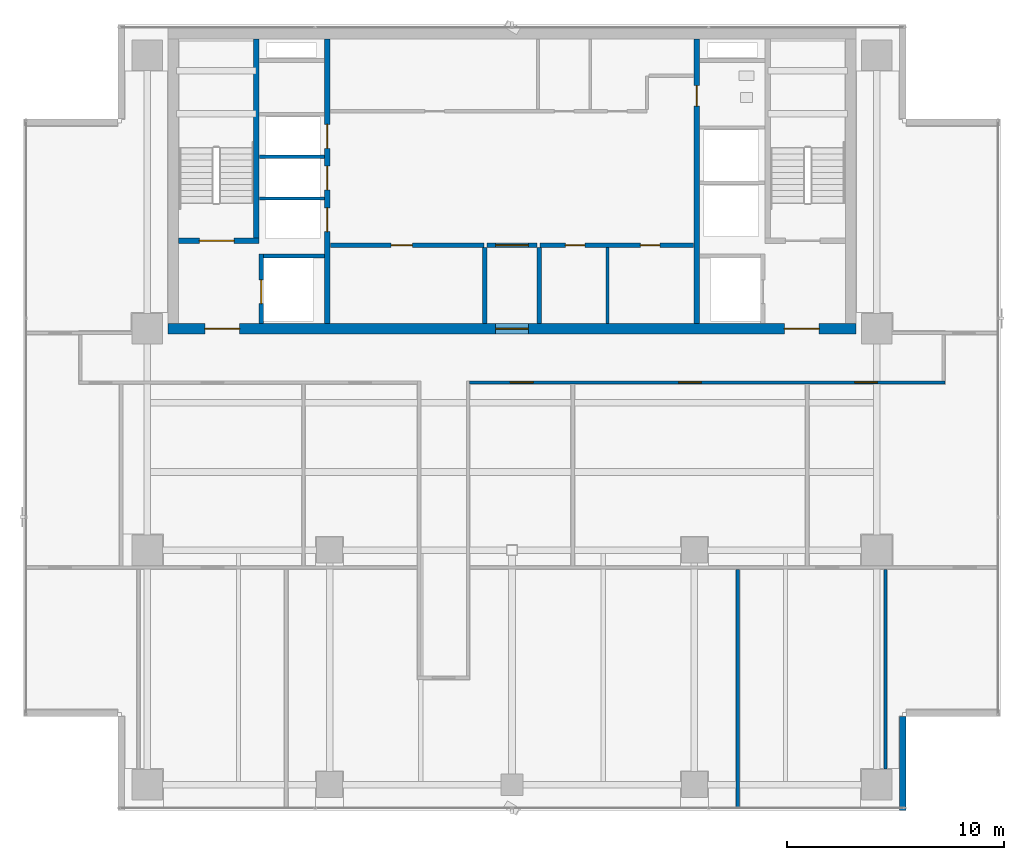
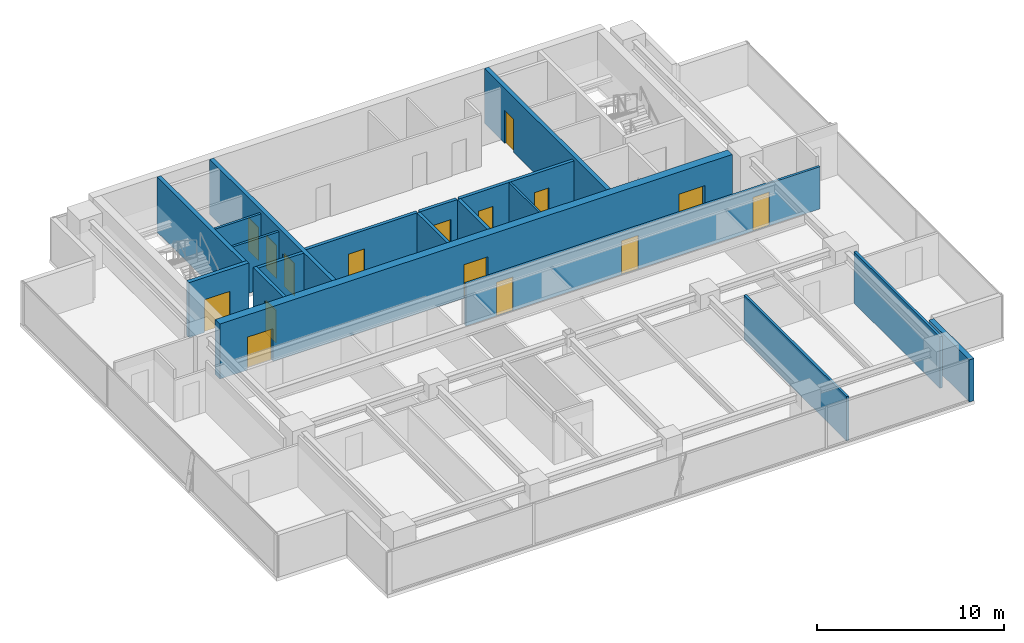
# One storey, part 20 of 25: 19 walls, 16 doors, 16 openings.
"""IFC4 building model written with IfcOpenShell, lengths in metres."""

import ifcopenshell
import ifcopenshell.guid

model = None  # the IFC model being written
_history = None  # IfcOwnerHistory: only IFC2X3 demands one
_inside = {}  # id of a spatial element -> (the spatial element, [elements in it])
_under = {}  # id of a project, library or spatial element -> (it, [spatial elements below it])
_declared = {}  # id of a project -> (the project, [libraries it declares])
_typed = {}  # id of a type object -> (the type object, [elements of that type])
_made_of = {}  # id of a material, layer set ... -> (it, [elements and type objects made of it])


def new_model(schema):
    """Start an empty IFC model of exactly this schema.

    Asked for "IFC4X3", IfcOpenShell would pick the latest addendum, in which some entities
    have other attributes; the version numbers below select the first issue.
    IFC2X3 requires an IfcOwnerHistory on every rooted entity: one is made here for all.
    """
    global model, _history
    if schema == "IFC4X3":
        model = ifcopenshell.file(schema_version=(4, 3, 0, 0))
    else:
        model = ifcopenshell.file(schema=schema)
    _inside.clear()
    _under.clear()
    _declared.clear()
    _typed.clear()
    _made_of.clear()
    _history = None
    if model.schema == "IFC2X3":
        org = make("IfcOrganization", Name="unknown")
        user = make(
            "IfcPersonAndOrganization",
            ThePerson=make("IfcPerson", FamilyName="unknown"),
            TheOrganization=org,
        )
        app = make(
            "IfcApplication",
            ApplicationDeveloper=org,
            Version="unknown",
            ApplicationFullName="unknown",
            ApplicationIdentifier="unknown",
        )
        _history = make(
            "IfcOwnerHistory",
            OwningUser=user,
            OwningApplication=app,
            ChangeAction="ADDED",
            CreationDate=0,
        )
    return model


def make(cls, **values):
    """One entity of the class cls with the attributes given. An attribute that is None is left unset."""
    return model.create_entity(
        cls, **{name: value for name, value in values.items() if value is not None}
    )


def rooted(cls, **values):
    """An entity with a GlobalId (a new one), such as an element, a storey or a relation."""
    return make(cls, GlobalId=ifcopenshell.guid.new(), OwnerHistory=_history, **values)


def si_unit(unit_type, name, prefix=None):
    """IfcSIUnit, for example si_unit("LENGTHUNIT", "METRE", prefix="MILLI")."""
    return make("IfcSIUnit", UnitType=unit_type, Prefix=prefix, Name=name)


def assignment(units):
    """IfcUnitAssignment: the units of a project."""
    return None if units is None else make("IfcUnitAssignment", Units=units)


def point(xyz):
    """IfcCartesianPoint."""
    return None if xyz is None else make("IfcCartesianPoint", Coordinates=xyz)


def direction(xyz):
    """IfcDirection."""
    return None if xyz is None else make("IfcDirection", DirectionRatios=xyz)


def frame(location, z_axis=None, x_axis=None):
    """IfcAxis2Placement3D, a coordinate frame: its origin and axes. An axis left out is left unset."""
    return make(
        "IfcAxis2Placement3D",
        Location=point(location),
        Axis=direction(z_axis),
        RefDirection=direction(x_axis),
    )


def frame_2d(location, x_axis=None):
    """IfcAxis2Placement2D, a coordinate frame in the plane: its origin and x axis."""
    return make(
        "IfcAxis2Placement2D", Location=point(location), RefDirection=direction(x_axis)
    )


def origin():
    """The frame at (0, 0, 0) with its axes left unset."""
    return frame((0.0, 0.0, 0.0))


def place(relative_to, where):
    """IfcLocalPlacement: puts the frame where relative to a parent placement (None: the world)."""
    return make(
        "IfcLocalPlacement", PlacementRelTo=relative_to, RelativePlacement=where
    )


def context(
    kind, dimensions, precision=None, world=None, true_north=None, identifier=None
):
    """IfcGeometricRepresentationContext, for example the 3D "Model" context."""
    return make(
        "IfcGeometricRepresentationContext",
        ContextIdentifier=identifier,
        ContextType=kind,
        CoordinateSpaceDimension=dimensions,
        Precision=precision,
        WorldCoordinateSystem=world,
        TrueNorth=true_north,
    )


def subcontext(parent, identifier, kind, view, scale=None):
    """IfcGeometricRepresentationSubContext, for example "Body" below "Model"."""
    return make(
        "IfcGeometricRepresentationSubContext",
        ContextIdentifier=identifier,
        ContextType=kind,
        ParentContext=parent,
        TargetScale=scale,
        TargetView=view,
    )


def project(units=None, contexts=None):
    """IfcProject with its units and contexts."""
    return rooted(
        "IfcProject",
        Name="project",
        RepresentationContexts=contexts,
        UnitsInContext=assignment(units),
    )


def spatial(cls, under=None, at=None, **own):
    """A site, building, storey or space (cls), placed at a placement, below another one or the project."""
    s = rooted(cls, ObjectPlacement=at, **own)
    if under is not None:
        _under.setdefault(under.id(), (under, []))[1].append(s)
    return s


def profile(cls, at=None, kind="AREA", **sizes):
    """A parametric profile (cls). Its sizes go by their IFC names, for example OverallWidth=200.0."""
    return make(cls, ProfileType=kind, Position=at, **sizes)


def rectangle(**sizes):
    """IfcRectangleProfileDef."""
    return profile("IfcRectangleProfileDef", **sizes)


def extrude(swept, where, along, depth):
    """IfcExtrudedAreaSolid: the profile swept, set in the frame where, extruded along a direction by depth."""
    return make(
        "IfcExtrudedAreaSolid",
        SweptArea=swept,
        Position=where,
        ExtrudedDirection=direction(along),
        Depth=depth,
    )


def shape(context_of_items, identifier, shape_type, items):
    """IfcShapeRepresentation: the items that make up one representation, for example the "Body"."""
    return make(
        "IfcShapeRepresentation",
        ContextOfItems=context_of_items,
        RepresentationIdentifier=identifier,
        RepresentationType=shape_type,
        Items=items,
    )


def source(mapping_origin, context_of_items, identifier, shape_type, items):
    """IfcRepresentationMap: a shape defined once, which mapped items show again and again."""
    return make(
        "IfcRepresentationMap",
        MappingOrigin=mapping_origin,
        MappedRepresentation=shape(context_of_items, identifier, shape_type, items),
    )


def transform(
    local_origin,
    x_axis=None,
    y_axis=None,
    z_axis=None,
    scale=None,
    scale2=None,
    scale3=None,
    uniform=True,
):
    """IfcCartesianTransformationOperator3D, or its non-uniform kind. x_axis, y_axis, z_axis: its Axis1, 2, 3."""
    if uniform:
        return make(
            "IfcCartesianTransformationOperator3D",
            Axis1=direction(x_axis),
            Axis2=direction(y_axis),
            LocalOrigin=point(local_origin),
            Scale=scale,
            Axis3=direction(z_axis),
        )
    return make(
        "IfcCartesianTransformationOperator3DnonUniform",
        Axis1=direction(x_axis),
        Axis2=direction(y_axis),
        LocalOrigin=point(local_origin),
        Scale=scale,
        Axis3=direction(z_axis),
        Scale2=scale2,
        Scale3=scale3,
    )


def mapped(mapping_source, mapping_target):
    """IfcMappedItem: shows the shape of a source again, moved by a transform."""
    return make(
        "IfcMappedItem", MappingSource=mapping_source, MappingTarget=mapping_target
    )


def material(Name=None, Category=None):
    """IfcMaterial."""
    return make("IfcMaterial", Name=Name, Category=Category)


def layer(
    of_material, thickness, ventilated=None, Name=None, Category=None, Priority=None
):
    """IfcMaterialLayer: one layer of a wall or slab, of a material (None: an air gap)."""
    return make(
        "IfcMaterialLayer",
        Material=of_material,
        LayerThickness=thickness,
        IsVentilated=ventilated,
        Name=Name,
        Category=Category,
        Priority=Priority,
    )


def layer_set(layers, Name=None):
    """IfcMaterialLayerSet."""
    return make("IfcMaterialLayerSet", MaterialLayers=layers, LayerSetName=Name)


def made_of(thing, what):
    """Note that an element or type object is made of a material, layer set ...; save() writes the relation."""
    if what is not None:
        _made_of.setdefault(what.id(), (what, []))[1].append(thing)
    return thing


def type_object(cls, material=None, **own):
    """A type object (cls), such as IfcWallType, which elements share."""
    return made_of(rooted(cls, **own), material)


def element(
    cls,
    number,
    at=None,
    inside=None,
    cuts=None,
    type_object=None,
    material=None,
    context=None,
    identifier="Body",
    shape_type=None,
    held_by="IfcProductDefinitionShape",
    body=None,
    shapes=None,
    **own,
):
    """One element of the class cls, such as IfcWall. Its Tag is "e" and its number.

    at: its placement. inside: the storey or other place that contains it. cuts: it is an
    opening in that element (IfcRelVoidsElement). A single representation is given by context,
    identifier, shape_type and body (its items); several are given by shapes. held_by: the class
    of the entity that holds the representations. save() writes the other relations.
    """
    e = rooted(cls, Tag="e%d" % number, ObjectPlacement=at, **own)
    if body is not None:
        shapes = [shape(context, identifier, shape_type, body)]
    if shapes is not None:
        e.Representation = make(held_by, Representations=shapes)
    if inside is not None:
        _inside.setdefault(inside.id(), (inside, []))[1].append(e)
    if cuts is not None:
        rooted(
            "IfcRelVoidsElement", RelatingBuildingElement=cuts, RelatedOpeningElement=e
        )
    if type_object is not None:
        _typed.setdefault(type_object.id(), (type_object, []))[1].append(e)
    return made_of(e, material)


def fill(opening, filler):
    """IfcRelFillsElement: the door or window that sits in an opening."""
    return rooted(
        "IfcRelFillsElement",
        RelatingOpeningElement=opening,
        RelatedBuildingElement=filler,
    )


def aggregate(whole, parts):
    """IfcRelAggregates: a whole, such as a stair, and the parts it consists of."""
    return rooted("IfcRelAggregates", RelatingObject=whole, RelatedObjects=parts)


def save(model, path):
    """Write the relations noted so far, then the file.

    IfcRelAggregates (storeys below a building ...), IfcRelContainedInSpatialStructure (elements
    in a storey), IfcRelDefinesByType, IfcRelAssociatesMaterial and IfcRelDeclares: one each for
    every whole, place, type object, material and project.
    """
    for whole, parts in _under.values():
        aggregate(whole, parts)
    for where, things in _inside.values():
        rooted(
            "IfcRelContainedInSpatialStructure",
            RelatedElements=things,
            RelatingStructure=where,
        )
    for kind, things in _typed.values():
        rooted("IfcRelDefinesByType", RelatedObjects=things, RelatingType=kind)
    for what, things in _made_of.values():
        rooted("IfcRelAssociatesMaterial", RelatedObjects=things, RelatingMaterial=what)
    for by, libraries in _declared.values():
        rooted("IfcRelDeclares", RelatingContext=by, RelatedDefinitions=libraries)
    model.write(path)


model = new_model("IFC4")

# Units and contexts
model_context = context("Model", 3, precision=1e-05, world=origin(), true_north=direction((0.0, 1.0)))
body_context = subcontext(model_context, "Body", "Model", "MODEL_VIEW")
ifc_project = project(units=[si_unit("LENGTHUNIT", "METRE"), si_unit("AREAUNIT", "SQUARE_METRE"), si_unit("VOLUMEUNIT", "CUBIC_METRE"), si_unit("PLANEANGLEUNIT", "RADIAN"), si_unit("MASSUNIT", "GRAM", prefix="KILO")], contexts=[model_context])

# Site, building, storey
site_placement = place(None, origin())
site = spatial("IfcSite", under=ifc_project, at=site_placement, CompositionType="ELEMENT")
building_placement = place(site_placement, origin())
building = spatial("IfcBuilding", under=site, at=building_placement, Name="Sumidabori Civic Tower", CompositionType="ELEMENT")
storey_placement = place(building_placement, frame((0.0, 0.0, 246.800048828125)))
storey = spatial("IfcBuildingStorey", under=building, at=storey_placement, Name="L64", CompositionType="ELEMENT", Elevation=246.800048828125)

# Wall
ifc_material_1 = material(Name="Concrete C50/60", Category="concrete")
ifc_layer_1 = layer(ifc_material_1, 0.199951171875, Name="Concrete C50/60")
ifc_layer_set_1 = layer_set([ifc_layer_1], Name="Concrete C50/60")
wall_type_1 = type_object("IfcWallType", Name="WL-SHAFT-200", PredefinedType="SHEAR", material=ifc_layer_set_1)
shared_shape_1 = source(origin(), body_context, "Body", "SweptSolid", [
    extrude(rectangle(XDim=2.824951171875, YDim=0.199951171875, at=frame_2d((1.41259765625, 0.0))), origin(), (0.0, 0.0, 1.0), 3.599853515625),
])
wall_1_placement = place(storey_placement, frame((-11.449951171875, 13.550048828125, 0.0), z_axis=(0.0, 0.0, 1.0), x_axis=(1.0, 0.0, 0.0)))
element("IfcWall", 1, at=wall_1_placement, inside=storey, type_object=wall_type_1, Name="Core Shear Wall L64 EL1-N", PredefinedType="SHEAR", context=body_context, shape_type="MappedRepresentation", body=[
    mapped(shared_shape_1, transform((0.0, 0.0, 0.0), x_axis=(1.0, 0.0, 0.0), y_axis=(0.0, 1.0, 0.0), z_axis=(0.0, 0.0, 1.0), scale=1.0)),
])

# Wall, openings, doors
ifc_layer_2 = layer(ifc_material_1, 0.5, Name="Concrete C50/60")
ifc_layer_set_2 = layer_set([ifc_layer_2], Name="Concrete C50/60")
wall_type_2 = type_object("IfcWallType", Name="WL-CORE-500", PredefinedType="SHEAR", material=ifc_layer_set_2)
shared_shape_2 = source(origin(), body_context, "Body", "SweptSolid", [
    extrude(rectangle(XDim=31.7001953125, YDim=0.5, at=frame_2d((15.85009765625, 0.0))), origin(), (0.0, 0.0, 1.0), 3.599853515625),
])
wall_2_placement = place(storey_placement, frame((-15.85009765625, 10.199951171875, 0.0), z_axis=(0.0, 0.0, 1.0), x_axis=(1.0, 0.0, 0.0)))
wall_2 = element("IfcWall", 2, at=wall_2_placement, inside=storey, type_object=wall_type_2, Name="Core Shear Wall L64 S", PredefinedType="SHEAR", context=body_context, shape_type="MappedRepresentation", body=[
    mapped(shared_shape_2, transform((0.0, 0.0, 0.0), x_axis=(1.0, 0.0, 0.0), y_axis=(0.0, 1.0, 0.0), z_axis=(0.0, 0.0, 1.0), scale=1.0)),
])
opening_1_placement = place(wall_2_placement, frame((1.699951171875, 0.0, 0.0)))
opening_1 = element("IfcOpeningElement", 3, at=opening_1_placement, cuts=wall_2, Name="Opening DR-FD4", PredefinedType="OPENING", context=body_context, shape_type="SweptSolid", body=[
    extrude(rectangle(XDim=1.60009765625, YDim=2.14990234375, at=frame_2d((0.800048828125, 1.074951171875))), frame((0.0, 0.261962890625, 0.0), z_axis=(0.0, -1.0, 0.0), x_axis=(1.0, 0.0, 0.0)), (0.0, 0.0, 1.0), 0.52392578125),
])
opening_2_placement = place(wall_2_placement, frame((28.39990234375, 0.0, 0.0)))
opening_2 = element("IfcOpeningElement", 4, at=opening_2_placement, cuts=wall_2, Name="Opening DR-FD4", PredefinedType="OPENING", context=body_context, shape_type="SweptSolid", body=[
    extrude(rectangle(XDim=1.60009765625, YDim=2.14990234375, at=frame_2d((0.800048828125, 1.074951171875))), frame((0.0, 0.261962890625, 0.0), z_axis=(0.0, -1.0, 0.0), x_axis=(1.0, 0.0, 0.0)), (0.0, 0.0, 1.0), 0.52392578125),
])
opening_3_placement = place(wall_2_placement, frame((15.10009765625, 0.0, 0.0)))
opening_3 = element("IfcOpeningElement", 5, at=opening_3_placement, cuts=wall_2, Name="Opening DR-FD3", PredefinedType="OPENING", context=body_context, shape_type="SweptSolid", body=[
    extrude(rectangle(XDim=1.5, YDim=2.199951171875, at=frame_2d((0.75, 1.10009765625))), frame((0.0, 0.261962890625, 0.0), z_axis=(0.0, -1.0, 0.0), x_axis=(1.0, 0.0, 0.0)), (0.0, 0.0, 1.0), 0.52392578125),
])
ifc_material_2 = material(Name="Steel SN490", Category="steel")
door_type_1 = type_object("IfcDoorType", Name="DR-FD4", OperationType="DOUBLE_DOOR_SINGLE_SWING", PredefinedType="DOOR", material=ifc_material_2)
shared_shape_3 = source(origin(), body_context, "Body", "SweptSolid", [
    extrude(rectangle(XDim=1.60009765625, YDim=2.14990234375, at=frame_2d((0.800048828125, 1.074951171875))), frame((0.0, 0.02490234375, 0.0), z_axis=(0.0, -1.0, 0.0), x_axis=(1.0, 0.0, 0.0)), (0.0, 0.0, 1.0), 0.050048828125),
])
door_1_placement = place(opening_1_placement, origin())
door_1 = element("IfcDoor", 6, at=door_1_placement, inside=storey, type_object=door_type_1, Name="Door DR:L64:ELOB-W", OperationType="DOUBLE_DOOR_SINGLE_SWING", OverallHeight=2.14990234375, OverallWidth=1.60009765625, PredefinedType="DOOR", context=body_context, shape_type="MappedRepresentation", body=[
    mapped(shared_shape_3, transform((0.0, 0.0, 0.0), x_axis=(1.0, 0.0, 0.0), y_axis=(0.0, 1.0, 0.0), z_axis=(0.0, 0.0, 1.0), scale=1.0)),
])
fill(opening_1, door_1)
door_2_placement = place(opening_2_placement, origin())
door_2 = element("IfcDoor", 7, at=door_2_placement, inside=storey, type_object=door_type_1, Name="Door DR:L64:ELOB-E", OperationType="DOUBLE_DOOR_SINGLE_SWING", OverallHeight=2.14990234375, OverallWidth=1.60009765625, PredefinedType="DOOR", context=body_context, shape_type="MappedRepresentation", body=[
    mapped(shared_shape_3, transform((0.0, 0.0, 0.0), x_axis=(1.0, 0.0, 0.0), y_axis=(0.0, 1.0, 0.0), z_axis=(0.0, 0.0, 1.0), scale=1.0)),
])
fill(opening_2, door_2)
door_type_2 = type_object("IfcDoorType", Name="DR-FD-DBL", OperationType="DOUBLE_DOOR_SINGLE_SWING", PredefinedType="DOOR", material=ifc_material_2)
shared_shape_4 = source(origin(), body_context, "Body", "SweptSolid", [
    extrude(rectangle(XDim=1.5, YDim=2.199951171875, at=frame_2d((0.75, 1.10009765625))), frame((0.0, 0.02490234375, 0.0), z_axis=(0.0, -1.0, 0.0), x_axis=(1.0, 0.0, 0.0)), (0.0, 0.0, 1.0), 0.050048828125),
])
door_3_placement = place(opening_3_placement, origin())
door_3 = element("IfcDoor", 8, at=door_3_placement, inside=storey, type_object=door_type_2, Name="Door DR:L64:THROAT-OUT", OperationType="DOUBLE_DOOR_SINGLE_SWING", OverallHeight=2.199951171875, OverallWidth=1.5, PredefinedType="DOOR", context=body_context, shape_type="MappedRepresentation", body=[
    mapped(shared_shape_4, transform((0.0, 0.0, 0.0), x_axis=(1.0, 0.0, 0.0), y_axis=(0.0, 1.0, 0.0), z_axis=(0.0, 0.0, 1.0), scale=1.0)),
])
fill(opening_3, door_3)

ifc_layer_3 = layer(ifc_material_1, 0.25, Name="Concrete C50/60")
ifc_layer_set_3 = layer_set([ifc_layer_3], Name="Concrete C50/60")
wall_type_3 = type_object("IfcWallType", Name="WL-SHAFT-250", PredefinedType="SHEAR", material=ifc_layer_set_3)
shared_shape_5 = source(origin(), body_context, "Body", "SweptSolid", [
    extrude(rectangle(XDim=13.10009765625, YDim=0.25, at=frame_2d((6.550048828125, 0.0))), origin(), (0.0, 0.0, 1.0), 3.599853515625),
])
wall_3_placement = place(storey_placement, frame((-8.5, 10.449951171875, 0.0), z_axis=(0.0, 0.0, 1.0), x_axis=(0.0, 1.0, 0.0)))
wall_3 = element("IfcWall", 9, at=wall_3_placement, inside=storey, type_object=wall_type_3, Name="Core Shear Wall L64 WEB-W", PredefinedType="SHEAR", context=body_context, shape_type="MappedRepresentation", body=[
    mapped(shared_shape_5, transform((0.0, 0.0, 0.0), x_axis=(1.0, 0.0, 0.0), y_axis=(0.0, 1.0, 0.0), z_axis=(0.0, 0.0, 1.0), scale=1.0)),
])
opening_4_placement = place(wall_3_placement, frame((4.219970703125, 0.0, 0.0)))
opening_4 = element("IfcOpeningElement", 10, at=opening_4_placement, cuts=wall_3, Name="Opening LD-1", PredefinedType="OPENING", context=body_context, shape_type="SweptSolid", body=[
    extrude(rectangle(XDim=1.10009765625, YDim=2.14990234375, at=frame_2d((0.550048828125, 1.074951171875))), frame((0.0, 0.136962890625, 0.0), z_axis=(0.0, -1.0, 0.0), x_axis=(1.0, 0.0, 0.0)), (0.0, 0.0, 1.0), 0.27392578125),
])
opening_5_placement = place(wall_3_placement, frame((6.139892578125, 0.0, 0.0)))
opening_5 = element("IfcOpeningElement", 11, at=opening_5_placement, cuts=wall_3, Name="Opening LD-1", PredefinedType="OPENING", context=body_context, shape_type="SweptSolid", body=[
    extrude(rectangle(XDim=1.10009765625, YDim=2.14990234375, at=frame_2d((0.550048828125, 1.074951171875))), frame((0.0, 0.136962890625, 0.0), z_axis=(0.0, -1.0, 0.0), x_axis=(1.0, 0.0, 0.0)), (0.0, 0.0, 1.0), 0.27392578125),
])
opening_6_placement = place(wall_3_placement, frame((8.06005859375, 0.0, 0.0)))
opening_6 = element("IfcOpeningElement", 12, at=opening_6_placement, cuts=wall_3, Name="Opening LD-1", PredefinedType="OPENING", context=body_context, shape_type="SweptSolid", body=[
    extrude(rectangle(XDim=1.10009765625, YDim=2.14990234375, at=frame_2d((0.550048828125, 1.074951171875))), frame((0.0, 0.136962890625, 0.0), z_axis=(0.0, -1.0, 0.0), x_axis=(1.0, 0.0, 0.0)), (0.0, 0.0, 1.0), 0.27392578125),
])
ifc_material_3 = material(Name="Stainless Steel Hairline Finish", Category="steel")
door_type_3 = type_object("IfcDoorType", Name="DR-LD1", OperationType="DOUBLE_DOOR_SLIDING", PredefinedType="DOOR", material=ifc_material_3)
shared_shape_6 = source(origin(), body_context, "Body", "SweptSolid", [
    extrude(rectangle(XDim=1.10009765625, YDim=2.14990234375, at=frame_2d((0.550048828125, 1.074951171875))), frame((0.0, 0.02490234375, 0.0), z_axis=(0.0, -1.0, 0.0), x_axis=(1.0, 0.0, 0.0)), (0.0, 0.0, 1.0), 0.050048828125),
])
door_4_placement = place(opening_4_placement, origin())
door_4 = element("IfcDoor", 13, at=door_4_placement, inside=storey, type_object=door_type_3, Name="Door DR:L64:LD-PLH1", OperationType="DOUBLE_DOOR_SLIDING", OverallHeight=2.14990234375, OverallWidth=1.10009765625, PredefinedType="DOOR", context=body_context, shape_type="MappedRepresentation", body=[
    mapped(shared_shape_6, transform((0.0, 0.0, 0.0), x_axis=(1.0, 0.0, 0.0), y_axis=(0.0, 1.0, 0.0), z_axis=(0.0, 0.0, 1.0), scale=1.0)),
])
fill(opening_4, door_4)
door_5_placement = place(opening_5_placement, origin())
door_5 = element("IfcDoor", 14, at=door_5_placement, inside=storey, type_object=door_type_3, Name="Door DR:L64:LD-PLH2", OperationType="DOUBLE_DOOR_SLIDING", OverallHeight=2.14990234375, OverallWidth=1.10009765625, PredefinedType="DOOR", context=body_context, shape_type="MappedRepresentation", body=[
    mapped(shared_shape_6, transform((0.0, 0.0, 0.0), x_axis=(1.0, 0.0, 0.0), y_axis=(0.0, 1.0, 0.0), z_axis=(0.0, 0.0, 1.0), scale=1.0)),
])
fill(opening_5, door_5)
door_6_placement = place(opening_6_placement, origin())
door_6 = element("IfcDoor", 15, at=door_6_placement, inside=storey, type_object=door_type_3, Name="Door DR:L64:LD-PLH3", OperationType="DOUBLE_DOOR_SLIDING", OverallHeight=2.14990234375, OverallWidth=1.10009765625, PredefinedType="DOOR", context=body_context, shape_type="MappedRepresentation", body=[
    mapped(shared_shape_6, transform((0.0, 0.0, 0.0), x_axis=(1.0, 0.0, 0.0), y_axis=(0.0, 1.0, 0.0), z_axis=(0.0, 0.0, 1.0), scale=1.0)),
])
fill(opening_6, door_6)

# Wall, opening, door
wall_4_placement = place(storey_placement, frame((8.5, 10.449951171875, 0.0), z_axis=(0.0, 0.0, 1.0), x_axis=(0.0, 1.0, 0.0)))
wall_4 = element("IfcWall", 16, at=wall_4_placement, inside=storey, type_object=wall_type_3, Name="Core Shear Wall L64 WEB-E", PredefinedType="SHEAR", context=body_context, shape_type="MappedRepresentation", body=[
    mapped(shared_shape_5, transform((0.0, 0.0, 0.0), x_axis=(1.0, 0.0, 0.0), y_axis=(0.0, 1.0, 0.0), z_axis=(0.0, 0.0, 1.0), scale=1.0)),
])
opening_7_placement = place(wall_4_placement, frame((10.0, 0.0, 0.0)))
opening_7 = element("IfcOpeningElement", 17, at=opening_7_placement, cuts=wall_4, Name="Opening DR-2", PredefinedType="OPENING", context=body_context, shape_type="SweptSolid", body=[
    extrude(rectangle(XDim=0.949951171875, YDim=2.14990234375, at=frame_2d((0.47509765625, 1.074951171875))), frame((0.0, 0.136962890625, 0.0), z_axis=(0.0, -1.0, 0.0), x_axis=(1.0, 0.0, 0.0)), (0.0, 0.0, 1.0), 0.27392578125),
])
ifc_material_4 = material(Name="Japanese Hinoki Timber", Category="wood")
door_type_4 = type_object("IfcDoorType", Name="DR-INT-950", OperationType="NOTDEFINED", PredefinedType="DOOR", material=ifc_material_4)
shared_shape_7 = source(origin(), body_context, "Body", "SweptSolid", [
    extrude(rectangle(XDim=0.949951171875, YDim=2.14990234375, at=frame_2d((0.47509765625, 1.074951171875))), frame((0.0, 0.02490234375, 0.0), z_axis=(0.0, -1.0, 0.0), x_axis=(1.0, 0.0, 0.0)), (0.0, 0.0, 1.0), 0.050048828125),
])
door_7_placement = place(opening_7_placement, origin())
door_7 = element("IfcDoor", 18, at=door_7_placement, inside=storey, type_object=door_type_4, Name="Door DR:L64:WC-ACC", OperationType="SINGLE_SWING_RIGHT", OverallHeight=2.14990234375, OverallWidth=0.949951171875, PredefinedType="DOOR", context=body_context, shape_type="MappedRepresentation", body=[
    mapped(shared_shape_7, transform((0.0, 0.0, 0.0), x_axis=(1.0, 0.0, 0.0), y_axis=(0.0, 1.0, 0.0), z_axis=(0.0, 0.0, 1.0), scale=1.0)),
])
fill(opening_7, door_7)

shared_shape_8 = source(origin(), body_context, "Body", "SweptSolid", [
    extrude(rectangle(XDim=3.705078125, YDim=0.25, at=frame_2d((1.8525390625, 0.0))), origin(), (0.0, 0.0, 1.0), 3.599853515625),
])
wall_5_placement = place(storey_placement, frame((-15.35009765625, 14.25, 0.0), z_axis=(0.0, 0.0, 1.0), x_axis=(1.0, 0.0, 0.0)))
wall_5 = element("IfcWall", 19, at=wall_5_placement, inside=storey, type_object=wall_type_3, Name="Core Shear Wall L64 ST1-S", PredefinedType="SHEAR", context=body_context, shape_type="MappedRepresentation", body=[
    mapped(shared_shape_8, transform((0.0, 0.0, 0.0), x_axis=(1.0, 0.0, 0.0), y_axis=(0.0, 1.0, 0.0), z_axis=(0.0, 0.0, 1.0), scale=1.0)),
])
opening_8_placement = place(wall_5_placement, frame((0.949951171875, 0.0, 0.0)))
opening_8 = element("IfcOpeningElement", 20, at=opening_8_placement, cuts=wall_5, Name="Opening DR-FD4", PredefinedType="OPENING", context=body_context, shape_type="SweptSolid", body=[
    extrude(rectangle(XDim=1.60009765625, YDim=2.14990234375, at=frame_2d((0.800048828125, 1.074951171875))), frame((0.0, 0.136962890625, 0.0), z_axis=(0.0, -1.0, 0.0), x_axis=(1.0, 0.0, 0.0)), (0.0, 0.0, 1.0), 0.27392578125),
])
door_8_placement = place(opening_8_placement, origin())
door_8 = element("IfcDoor", 21, at=door_8_placement, inside=storey, type_object=door_type_1, Name="Door DR:L64:ST1", OperationType="DOUBLE_DOOR_SINGLE_SWING", OverallHeight=2.14990234375, OverallWidth=1.60009765625, PredefinedType="DOOR", context=body_context, shape_type="MappedRepresentation", body=[
    mapped(shared_shape_3, transform((0.0, 0.0, 0.0), x_axis=(1.0, 0.0, 0.0), y_axis=(0.0, 1.0, 0.0), z_axis=(0.0, 0.0, 1.0), scale=1.0)),
])
fill(opening_8, door_8)

# Wall
shared_shape_9 = source(origin(), body_context, "Body", "SweptSolid", [
    extrude(rectangle(XDim=9.175048828125, YDim=0.25, at=frame_2d((4.58740234375, 0.0))), origin(), (0.0, 0.0, 1.0), 3.599853515625),
])
wall_6_placement = place(storey_placement, frame((-11.77001953125, 14.375, 0.0), z_axis=(0.0, 0.0, 1.0), x_axis=(0.0, 1.0, 0.0)))
element("IfcWall", 22, at=wall_6_placement, inside=storey, type_object=wall_type_3, Name="Core Shear Wall L64 ST1-E", PredefinedType="SHEAR", context=body_context, shape_type="MappedRepresentation", body=[
    mapped(shared_shape_9, transform((0.0, 0.0, 0.0), x_axis=(1.0, 0.0, 0.0), y_axis=(0.0, 1.0, 0.0), z_axis=(0.0, 0.0, 1.0), scale=1.0)),
])

# Wall, opening, door
shared_shape_10 = source(origin(), body_context, "Body", "SweptSolid", [
    extrude(rectangle(XDim=3.199951171875, YDim=0.199951171875, at=frame_2d((1.60009765625, 0.0))), origin(), (0.0, 0.0, 1.0), 3.599853515625),
])
wall_7_placement = place(storey_placement, frame((-11.550048828125, 10.449951171875, 0.0), z_axis=(0.0, 0.0, 1.0), x_axis=(0.0, 1.0, 0.0)))
wall_7 = element("IfcWall", 23, at=wall_7_placement, inside=storey, type_object=wall_type_1, Name="Core Shear Wall L64 EL1-W", PredefinedType="SHEAR", context=body_context, shape_type="MappedRepresentation", body=[
    mapped(shared_shape_10, transform((0.0, 0.0, 0.0), x_axis=(1.0, 0.0, 0.0), y_axis=(0.0, 1.0, 0.0), z_axis=(0.0, 0.0, 1.0), scale=1.0)),
])
opening_9_placement = place(wall_7_placement, frame((0.89990234375, 0.0, 0.0)))
opening_9 = element("IfcOpeningElement", 24, at=opening_9_placement, cuts=wall_7, Name="Opening LD-2", PredefinedType="OPENING", context=body_context, shape_type="SweptSolid", body=[
    extrude(rectangle(XDim=1.10009765625, YDim=2.14990234375, at=frame_2d((0.550048828125, 1.074951171875))), frame((0.0, 0.11181640625, 0.0), z_axis=(0.0, -1.0, 0.0), x_axis=(1.0, 0.0, 0.0)), (0.0, 0.0, 1.0), 0.223876953125),
])
door_type_5 = type_object("IfcDoorType", Name="DR-LD2", OperationType="DOUBLE_DOOR_SLIDING", PredefinedType="DOOR", material=ifc_material_3)
door_9_placement = place(opening_9_placement, origin())
door_9 = element("IfcDoor", 25, at=door_9_placement, inside=storey, type_object=door_type_5, Name="Door DR:L64:LD-EL1", OperationType="DOUBLE_DOOR_SLIDING", OverallHeight=2.14990234375, OverallWidth=1.10009765625, PredefinedType="DOOR", context=body_context, shape_type="MappedRepresentation", body=[
    mapped(shared_shape_6, transform((0.0, 0.0, 0.0), x_axis=(1.0, 0.0, 0.0), y_axis=(0.0, 1.0, 0.0), z_axis=(0.0, 0.0, 1.0), scale=1.0)),
])
fill(opening_9, door_9)

# Walls
ifc_material_5 = material(Name="Precast concrete C40/50", Category="concrete")
ifc_layer_4 = layer(ifc_material_5, 0.300048828125, Name="Precast concrete C40/50")
ifc_layer_set_4 = layer_set([ifc_layer_4], Name="Precast concrete C40/50")
wall_type_4 = type_object("IfcWallType", Name="WL-EXT-POD300", PredefinedType="STANDARD", material=ifc_layer_set_4)
shared_shape_11 = source(origin(), body_context, "Body", "SweptSolid", [
    extrude(rectangle(XDim=4.31005859375, YDim=0.300048828125, at=frame_2d((2.155029296875, 0.0))), origin(), (0.0, 0.0, 1.0), 2.75),
])
wall_8_placement = place(storey_placement, frame((18.0, -11.97998046875, 0.0), z_axis=(0.0, 0.0, 1.0), x_axis=(0.0, 1.0, 0.0)))
element("IfcWall", 26, at=wall_8_placement, inside=storey, type_object=wall_type_4, Name="Notched Corner Spandrel Band L64-02", PredefinedType="STANDARD", context=body_context, shape_type="MappedRepresentation", body=[
    mapped(shared_shape_11, transform((0.0, 0.0, 0.0), x_axis=(1.0, 0.0, 0.0), y_axis=(0.0, 1.0, 0.0), z_axis=(0.0, 0.0, 1.0), scale=1.0)),
])
ifc_material_6 = material(Name="Gypsum Plasterboard Acoustic Partition")
ifc_layer_5 = layer(ifc_material_6, 0.14990234375, Name="Gypsum Plasterboard Acoustic Partition")
ifc_layer_set_5 = layer_set([ifc_layer_5], Name="Gypsum Plasterboard Acoustic Partition")
wall_type_5 = type_object("IfcWallType", Name="WL-PART-150", PredefinedType="PARTITIONING", material=ifc_layer_set_5)
shared_shape_12 = source(origin(), body_context, "Body", "SweptSolid", [
    extrude(rectangle(XDim=3.010009765625, YDim=0.14990234375, at=frame_2d((1.5048828125, 0.0))), origin(), (0.0, 0.0, 1.0), 3.369873046875),
])
for number, where, z_axis, x_axis, name in (
    (27, (-11.639892578125, 16.199951171875, 0.0), (0.0, 0.0, 1.0), (1.0, 0.0, 0.0), "Interior Partition WL:L64:DIV-PLH1"),
    (28, (-11.639892578125, 18.1201171875, 0.0), (0.0, 0.0, 1.0), (1.0, 0.0, 0.0), "Interior Partition WL:L64:DIV-PLH2"),
):
    element("IfcWall", number, at=place(storey_placement, frame(where, z_axis=z_axis, x_axis=x_axis)), inside=storey, type_object=wall_type_5, Name=name, PredefinedType="PARTITIONING", context=body_context, shape_type="MappedRepresentation", body=[
        mapped(shared_shape_12, transform((0.0, 0.0, 0.0), x_axis=(1.0, 0.0, 0.0), y_axis=(0.0, 1.0, 0.0), z_axis=(0.0, 0.0, 1.0), scale=1.0)),
    ])

# Wall, opening, door
ifc_material_7 = material(Name="Gypsum Plasterboard Fire Partition")
ifc_layer_6 = layer(ifc_material_7, 0.199951171875, Name="Gypsum Plasterboard Fire Partition")
ifc_layer_set_6 = layer_set([ifc_layer_6], Name="Gypsum Plasterboard Fire Partition")
wall_type_6 = type_object("IfcWallType", Name="WL-PART-FIRE", PredefinedType="PARTITIONING", material=ifc_layer_set_6)
shared_shape_13 = source(origin(), body_context, "Body", "SweptSolid", [
    extrude(rectangle(XDim=7.070068359375, YDim=0.199951171875, at=frame_2d((3.53515625, 0.0))), origin(), (0.0, 0.0, 1.0), 3.369873046875),
])
wall_9_placement = place(storey_placement, frame((-8.3701171875, 14.050048828125, 0.0), z_axis=(0.0, 0.0, 1.0), x_axis=(1.0, 0.0, 0.0)))
wall_9 = element("IfcWall", 29, at=wall_9_placement, inside=storey, type_object=wall_type_6, Name="Interior Partition WL:L64:CBAND-SW", PredefinedType="PARTITIONING", context=body_context, shape_type="MappedRepresentation", body=[
    mapped(shared_shape_13, transform((0.0, 0.0, 0.0), x_axis=(1.0, 0.0, 0.0), y_axis=(0.0, 1.0, 0.0), z_axis=(0.0, 0.0, 1.0), scale=1.0)),
])
opening_10_placement = place(wall_9_placement, frame((2.800048828125, 0.0, 0.0)))
opening_10 = element("IfcOpeningElement", 30, at=opening_10_placement, cuts=wall_9, Name="Opening DR-3", PredefinedType="OPENING", context=body_context, shape_type="SweptSolid", body=[
    extrude(rectangle(XDim=0.97998046875, YDim=2.14990234375, at=frame_2d((0.489990234375, 1.074951171875))), frame((0.0, 0.11181640625, 0.0), z_axis=(0.0, -1.0, 0.0), x_axis=(1.0, 0.0, 0.0)), (0.0, 0.0, 1.0), 0.223876953125),
])
door_type_6 = type_object("IfcDoorType", Name="DR-INT-980", OperationType="NOTDEFINED", PredefinedType="DOOR", material=ifc_material_4)
shared_shape_14 = source(origin(), body_context, "Body", "SweptSolid", [
    extrude(rectangle(XDim=0.97998046875, YDim=2.14990234375, at=frame_2d((0.489990234375, 1.074951171875))), frame((0.0, 0.02490234375, 0.0), z_axis=(0.0, -1.0, 0.0), x_axis=(1.0, 0.0, 0.0)), (0.0, 0.0, 1.0), 0.050048828125),
])
door_10_placement = place(opening_10_placement, origin())
door_10 = element("IfcDoor", 31, at=door_10_placement, inside=storey, type_object=door_type_6, Name="Door DR:L64:REC-B1", OperationType="SINGLE_SWING_LEFT", OverallHeight=2.14990234375, OverallWidth=0.97998046875, PredefinedType="DOOR", context=body_context, shape_type="MappedRepresentation", body=[
    mapped(shared_shape_14, transform((0.0, 0.0, 0.0), x_axis=(1.0, 0.0, 0.0), y_axis=(0.0, 1.0, 0.0), z_axis=(0.0, 0.0, 1.0), scale=1.0)),
])
fill(opening_10, door_10)

# Wall, openings, doors
wall_10_placement = place(storey_placement, frame((1.300048828125, 14.050048828125, 0.0), z_axis=(0.0, 0.0, 1.0), x_axis=(1.0, 0.0, 0.0)))
wall_10 = element("IfcWall", 32, at=wall_10_placement, inside=storey, type_object=wall_type_6, Name="Interior Partition WL:L64:CBAND-SE", PredefinedType="PARTITIONING", context=body_context, shape_type="MappedRepresentation", body=[
    mapped(shared_shape_13, transform((0.0, 0.0, 0.0), x_axis=(1.0, 0.0, 0.0), y_axis=(0.0, 1.0, 0.0), z_axis=(0.0, 0.0, 1.0), scale=1.0)),
])
opening_11_placement = place(wall_10_placement, frame((1.159912109375, 0.0, 0.0)))
opening_11 = element("IfcOpeningElement", 33, at=opening_11_placement, cuts=wall_10, Name="Opening DR-1", PredefinedType="OPENING", context=body_context, shape_type="SweptSolid", body=[
    extrude(rectangle(XDim=0.89990234375, YDim=2.14990234375, at=frame_2d((0.449951171875, 1.074951171875))), frame((0.0, 0.11181640625, 0.0), z_axis=(0.0, -1.0, 0.0), x_axis=(1.0, 0.0, 0.0)), (0.0, 0.0, 1.0), 0.223876953125),
])
opening_12_placement = place(wall_10_placement, frame((4.610107421875, 0.0, 0.0)))
opening_12 = element("IfcOpeningElement", 34, at=opening_12_placement, cuts=wall_10, Name="Opening DR-1", PredefinedType="OPENING", context=body_context, shape_type="SweptSolid", body=[
    extrude(rectangle(XDim=0.89990234375, YDim=2.14990234375, at=frame_2d((0.449951171875, 1.074951171875))), frame((0.0, 0.11181640625, 0.0), z_axis=(0.0, -1.0, 0.0), x_axis=(1.0, 0.0, 0.0)), (0.0, 0.0, 1.0), 0.223876953125),
])
door_type_7 = type_object("IfcDoorType", Name="DR-INT-900", OperationType="NOTDEFINED", PredefinedType="DOOR", material=ifc_material_4)
shared_shape_15 = source(origin(), body_context, "Body", "SweptSolid", [
    extrude(rectangle(XDim=0.89990234375, YDim=2.14990234375, at=frame_2d((0.449951171875, 1.074951171875))), frame((0.0, 0.02490234375, 0.0), z_axis=(0.0, -1.0, 0.0), x_axis=(1.0, 0.0, 0.0)), (0.0, 0.0, 1.0), 0.050048828125),
])
door_11_placement = place(opening_11_placement, origin())
door_11 = element("IfcDoor", 35, at=door_11_placement, inside=storey, type_object=door_type_7, Name="Door DR:L64:REC-B2A", OperationType="SINGLE_SWING_LEFT", OverallHeight=2.14990234375, OverallWidth=0.89990234375, PredefinedType="DOOR", context=body_context, shape_type="MappedRepresentation", body=[
    mapped(shared_shape_15, transform((0.0, 0.0, 0.0), x_axis=(1.0, 0.0, 0.0), y_axis=(0.0, 1.0, 0.0), z_axis=(0.0, 0.0, 1.0), scale=1.0)),
])
fill(opening_11, door_11)
door_12_placement = place(opening_12_placement, origin())
door_12 = element("IfcDoor", 36, at=door_12_placement, inside=storey, type_object=door_type_7, Name="Door DR:L64:REC-B2B", OperationType="SINGLE_SWING_RIGHT", OverallHeight=2.14990234375, OverallWidth=0.89990234375, PredefinedType="DOOR", context=body_context, shape_type="MappedRepresentation", body=[
    mapped(shared_shape_15, transform((0.0, 0.0, 0.0), x_axis=(1.0, 0.0, 0.0), y_axis=(0.0, 1.0, 0.0), z_axis=(0.0, 0.0, 1.0), scale=1.0)),
])
fill(opening_12, door_12)

# Walls
shared_shape_16 = source(origin(), body_context, "Body", "SweptSolid", [
    extrude(rectangle(XDim=3.489990234375, YDim=0.199951171875, at=frame_2d((1.7451171875, 0.0))), origin(), (0.0, 0.0, 1.0), 3.369873046875),
])
for number, where, z_axis, x_axis, name in (
    (37, (-1.25, 10.449951171875, 0.0), (0.0, 0.0, 1.0), (0.0, 1.0, 0.0), "Interior Partition WL:L64:THROAT-W"),
    (38, (1.25, 10.449951171875, 0.0), (0.0, 0.0, 1.0), (0.0, 1.0, 0.0), "Interior Partition WL:L64:THROAT-E"),
):
    element("IfcWall", number, at=place(storey_placement, frame(where, z_axis=z_axis, x_axis=x_axis)), inside=storey, type_object=wall_type_6, Name=name, PredefinedType="PARTITIONING", context=body_context, shape_type="MappedRepresentation", body=[
        mapped(shared_shape_16, transform((0.0, 0.0, 0.0), x_axis=(1.0, 0.0, 0.0), y_axis=(0.0, 1.0, 0.0), z_axis=(0.0, 0.0, 1.0), scale=1.0)),
    ])

# Wall, opening, door
shared_shape_17 = source(origin(), body_context, "Body", "SweptSolid", [
    extrude(rectangle(XDim=2.2998046875, YDim=0.199951171875, at=frame_2d((1.14990234375, 0.0))), origin(), (0.0, 0.0, 1.0), 3.369873046875),
])
wall_11_placement = place(storey_placement, frame((-1.14990234375, 14.050048828125, 0.0), z_axis=(0.0, 0.0, 1.0), x_axis=(1.0, 0.0, 0.0)))
wall_11 = element("IfcWall", 39, at=wall_11_placement, inside=storey, type_object=wall_type_6, Name="Interior Partition WL:L64:THROAT-N", PredefinedType="PARTITIONING", context=body_context, shape_type="MappedRepresentation", body=[
    mapped(shared_shape_17, transform((0.0, 0.0, 0.0), x_axis=(1.0, 0.0, 0.0), y_axis=(0.0, 1.0, 0.0), z_axis=(0.0, 0.0, 1.0), scale=1.0)),
])
opening_13_placement = place(wall_11_placement, frame((0.39990234375, 0.0, 0.0)))
opening_13 = element("IfcOpeningElement", 40, at=opening_13_placement, cuts=wall_11, Name="Opening DR-FD3", PredefinedType="OPENING", context=body_context, shape_type="SweptSolid", body=[
    extrude(rectangle(XDim=1.5, YDim=2.199951171875, at=frame_2d((0.75, 1.10009765625))), frame((0.0, 0.11181640625, 0.0), z_axis=(0.0, -1.0, 0.0), x_axis=(1.0, 0.0, 0.0)), (0.0, 0.0, 1.0), 0.223876953125),
])
door_13_placement = place(opening_13_placement, origin())
door_13 = element("IfcDoor", 41, at=door_13_placement, inside=storey, type_object=door_type_2, Name="Door DR:L64:THROAT-IN", OperationType="DOUBLE_DOOR_SINGLE_SWING", OverallHeight=2.199951171875, OverallWidth=1.5, PredefinedType="DOOR", context=body_context, shape_type="MappedRepresentation", body=[
    mapped(shared_shape_4, transform((0.0, 0.0, 0.0), x_axis=(1.0, 0.0, 0.0), y_axis=(0.0, 1.0, 0.0), z_axis=(0.0, 0.0, 1.0), scale=1.0)),
])
fill(opening_13, door_13)

# Walls
ifc_layer_7 = layer(ifc_material_6, 0.1201171875, Name="Gypsum Plasterboard Acoustic Partition")
ifc_layer_set_7 = layer_set([ifc_layer_7], Name="Gypsum Plasterboard Acoustic Partition")
wall_type_7 = type_object("IfcWallType", Name="WL-PART-120", PredefinedType="PARTITIONING", material=ifc_layer_set_7)
shared_shape_18 = source(origin(), body_context, "Body", "SweptSolid", [
    extrude(rectangle(XDim=3.489990234375, YDim=0.1201171875, at=frame_2d((1.7451171875, 0.0))), origin(), (0.0, 0.0, 1.0), 3.369873046875),
])
wall_12_placement = place(storey_placement, frame((4.39990234375, 10.449951171875, 0.0), z_axis=(0.0, 0.0, 1.0), x_axis=(0.0, 1.0, 0.0)))
element("IfcWall", 42, at=wall_12_placement, inside=storey, type_object=wall_type_7, Name="Interior Partition WL:L64:REC-B2-SP", PredefinedType="PARTITIONING", context=body_context, shape_type="MappedRepresentation", body=[
    mapped(shared_shape_18, transform((0.0, 0.0, 0.0), x_axis=(1.0, 0.0, 0.0), y_axis=(0.0, 1.0, 0.0), z_axis=(0.0, 0.0, 1.0), scale=1.0)),
])
shared_shape_19 = source(origin(), body_context, "Body", "SweptSolid", [
    extrude(rectangle(XDim=10.97021484375, YDim=0.14990234375, at=frame_2d((5.485107421875, 0.0))), origin(), (0.0, 0.0, 1.0), 2.905029296875),
])
wall_13_placement = place(storey_placement, frame((10.39990234375, -11.85009765625, 0.0), z_axis=(0.0, 0.0, 1.0), x_axis=(0.0, 1.0, 0.0)))
element("IfcWall", 43, at=wall_13_placement, inside=storey, type_object=wall_type_5, Name="Interior Partition WL:L64:VX-S3", PredefinedType="PARTITIONING", context=body_context, shape_type="MappedRepresentation", body=[
    mapped(shared_shape_19, transform((0.0, 0.0, 0.0), x_axis=(1.0, 0.0, 0.0), y_axis=(0.0, 1.0, 0.0), z_axis=(0.0, 0.0, 1.0), scale=1.0)),
])

# Wall, openings, doors
shared_shape_20 = source(origin(), body_context, "Body", "SweptSolid", [
    extrude(rectangle(XDim=21.89990234375, YDim=0.14990234375, at=frame_2d((10.949951171875, 0.0))), origin(), (0.0, 0.0, 1.0), 2.7548828125),
])
wall_14_placement = place(storey_placement, frame((-1.949951171875, 7.72509765625, 0.0), z_axis=(0.0, 0.0, 1.0), x_axis=(1.0, 0.0, 0.0)))
wall_14 = element("IfcWall", 44, at=wall_14_placement, inside=storey, type_object=wall_type_5, Name="Interior Partition WL:L64:CORR-SE", PredefinedType="PARTITIONING", context=body_context, shape_type="MappedRepresentation", body=[
    mapped(shared_shape_20, transform((0.0, 0.0, 0.0), x_axis=(1.0, 0.0, 0.0), y_axis=(0.0, 1.0, 0.0), z_axis=(0.0, 0.0, 1.0), scale=1.0)),
])
opening_14_placement = place(wall_14_placement, frame((17.742431640625, 0.0, 0.0)))
opening_14 = element("IfcOpeningElement", 45, at=opening_14_placement, cuts=wall_14, Name="Opening DR-4", PredefinedType="OPENING", context=body_context, shape_type="SweptSolid", body=[
    extrude(rectangle(XDim=1.0400390625, YDim=2.199951171875, at=frame_2d((0.52001953125, 1.10009765625))), frame((0.0, 0.0869140625, 0.0), z_axis=(0.0, -1.0, 0.0), x_axis=(1.0, 0.0, 0.0)), (0.0, 0.0, 1.0), 0.173828125),
])
opening_15_placement = place(wall_14_placement, frame((1.87744140625, 0.0, 0.0)))
opening_15 = element("IfcOpeningElement", 46, at=opening_15_placement, cuts=wall_14, Name="Opening DR-4", PredefinedType="OPENING", context=body_context, shape_type="SweptSolid", body=[
    extrude(rectangle(XDim=1.0400390625, YDim=2.199951171875, at=frame_2d((0.52001953125, 1.10009765625))), frame((0.0, 0.0869140625, 0.0), z_axis=(0.0, -1.0, 0.0), x_axis=(1.0, 0.0, 0.0)), (0.0, 0.0, 1.0), 0.173828125),
])
opening_16_placement = place(wall_14_placement, frame((9.6298828125, 0.0, 0.0)))
opening_16 = element("IfcOpeningElement", 47, at=opening_16_placement, cuts=wall_14, Name="Opening DR-4", PredefinedType="OPENING", context=body_context, shape_type="SweptSolid", body=[
    extrude(rectangle(XDim=1.0400390625, YDim=2.199951171875, at=frame_2d((0.52001953125, 1.10009765625))), frame((0.0, 0.0869140625, 0.0), z_axis=(0.0, -1.0, 0.0), x_axis=(1.0, 0.0, 0.0)), (0.0, 0.0, 1.0), 0.173828125),
])
door_type_8 = type_object("IfcDoorType", Name="DR-INT-1040", OperationType="NOTDEFINED", PredefinedType="DOOR", material=ifc_material_4)
shared_shape_21 = source(origin(), body_context, "Body", "SweptSolid", [
    extrude(rectangle(XDim=1.0400390625, YDim=2.199951171875, at=frame_2d((0.52001953125, 1.10009765625))), frame((0.0, 0.02490234375, 0.0), z_axis=(0.0, -1.0, 0.0), x_axis=(1.0, 0.0, 0.0)), (0.0, 0.0, 1.0), 0.050048828125),
])
door_14_placement = place(opening_14_placement, origin())
door_14 = element("IfcDoor", 48, at=door_14_placement, inside=storey, type_object=door_type_8, Name="Door DR:L64:D02", OperationType="SINGLE_SWING_RIGHT", OverallHeight=2.199951171875, OverallWidth=1.0400390625, PredefinedType="DOOR", context=body_context, shape_type="MappedRepresentation", body=[
    mapped(shared_shape_21, transform((0.0, 0.0, 0.0), x_axis=(1.0, 0.0, 0.0), y_axis=(0.0, 1.0, 0.0), z_axis=(0.0, 0.0, 1.0), scale=1.0)),
])
fill(opening_14, door_14)
door_15_placement = place(opening_15_placement, origin())
door_15 = element("IfcDoor", 49, at=door_15_placement, inside=storey, type_object=door_type_8, Name="Door DR:L64:D05", OperationType="SINGLE_SWING_LEFT", OverallHeight=2.199951171875, OverallWidth=1.0400390625, PredefinedType="DOOR", context=body_context, shape_type="MappedRepresentation", body=[
    mapped(shared_shape_21, transform((0.0, 0.0, 0.0), x_axis=(1.0, 0.0, 0.0), y_axis=(0.0, 1.0, 0.0), z_axis=(0.0, 0.0, 1.0), scale=1.0)),
])
fill(opening_15, door_15)
door_16_placement = place(opening_16_placement, origin())
door_16 = element("IfcDoor", 50, at=door_16_placement, inside=storey, type_object=door_type_8, Name="Door DR:L64:D06", OperationType="SINGLE_SWING_RIGHT", OverallHeight=2.199951171875, OverallWidth=1.0400390625, PredefinedType="DOOR", context=body_context, shape_type="MappedRepresentation", body=[
    mapped(shared_shape_21, transform((0.0, 0.0, 0.0), x_axis=(1.0, 0.0, 0.0), y_axis=(0.0, 1.0, 0.0), z_axis=(0.0, 0.0, 1.0), scale=1.0)),
])
fill(opening_16, door_16)

# Wall
shared_shape_22 = source(origin(), body_context, "Body", "SweptSolid", [
    extrude(rectangle(XDim=9.210205078125, YDim=0.14990234375, at=frame_2d((4.60498046875, 0.0))), origin(), (0.0, 0.0, 1.0), 3.369873046875),
])
wall_15_placement = place(storey_placement, frame((17.199951171875, -10.090087890625, 0.0), z_axis=(0.0, 0.0, 1.0), x_axis=(0.0, 1.0, 0.0)))
element("IfcWall", 51, at=wall_15_placement, inside=storey, type_object=wall_type_5, Name="Interior Partition WL:L64:VX-S4", PredefinedType="PARTITIONING", context=body_context, shape_type="MappedRepresentation", body=[
    mapped(shared_shape_22, transform((0.0, 0.0, 0.0), x_axis=(1.0, 0.0, 0.0), y_axis=(0.0, 1.0, 0.0), z_axis=(0.0, 0.0, 1.0), scale=1.0)),
])

save(model, "model.ifc")
